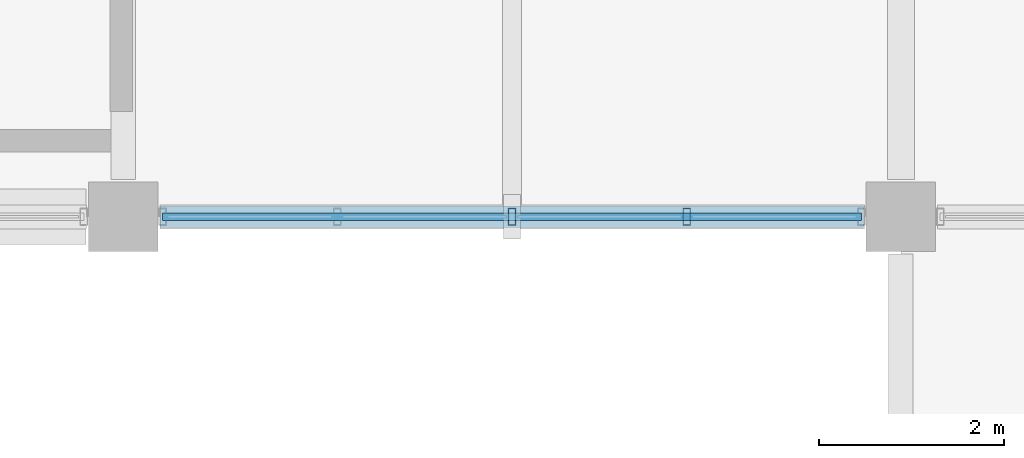
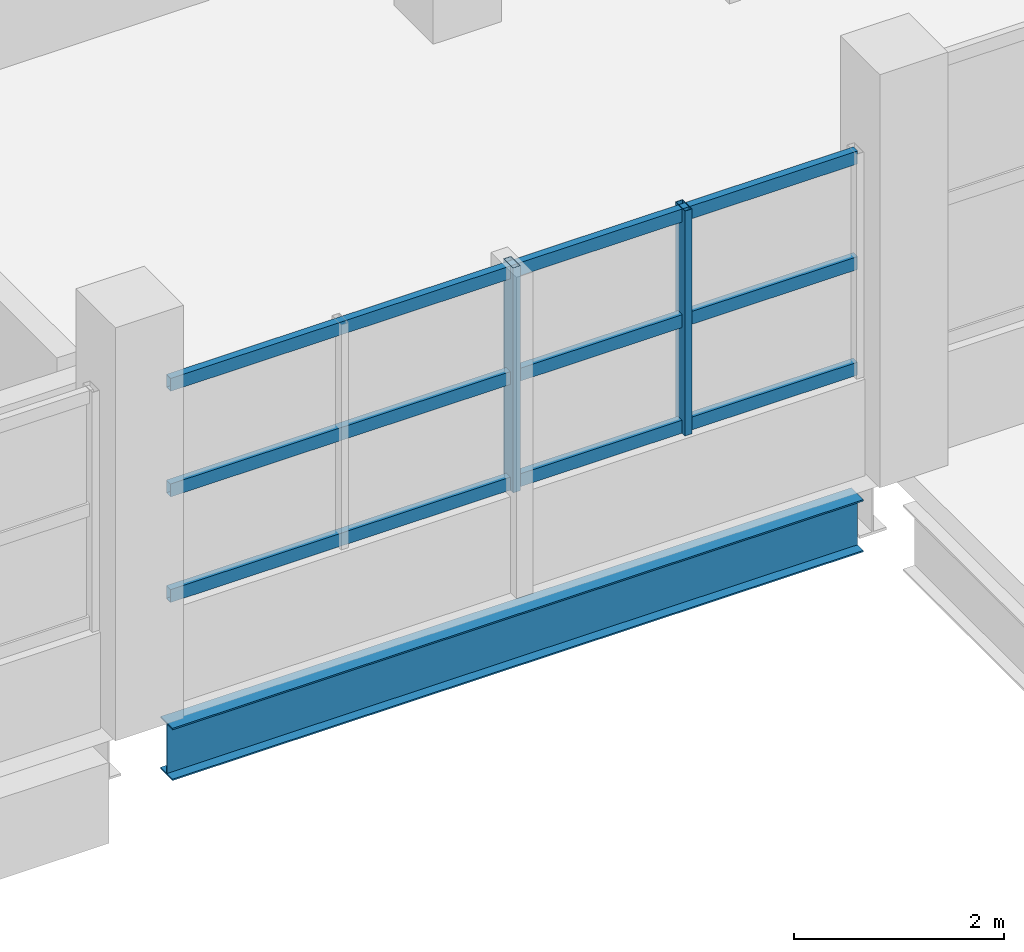
# One storey, part 44 of 117: 5 members, 1 beam, 1 element without a shape of its own.
"""IFC4 building model written with IfcOpenShell, lengths in metres."""

from ifc_helpers import new_model, si_unit, direction, frame, origin, origin_2d, place, context, subcontext, project, spatial, hollow_rectangle, i_section, extrude, material, material_profile, profile_set, type_object, element, aggregate, save


model = new_model("IFC4")

# Units and contexts
model_context = context("Model", 3, precision=1e-05, world=origin(), true_north=direction((0.0, 1.0)))
body_context = subcontext(model_context, "Body", "Model", "MODEL_VIEW")
ifc_project = project(units=[si_unit("LENGTHUNIT", "METRE"), si_unit("AREAUNIT", "SQUARE_METRE"), si_unit("VOLUMEUNIT", "CUBIC_METRE"), si_unit("PLANEANGLEUNIT", "RADIAN"), si_unit("MASSUNIT", "GRAM", prefix="KILO")], contexts=[model_context])

# Site, building, storey
site_placement = place(None, origin())
site = spatial("IfcSite", under=ifc_project, at=site_placement, CompositionType="ELEMENT")
building_placement = place(site_placement, origin())
building = spatial("IfcBuilding", under=site, at=building_placement, Name="Solvento Point Concert Hall", CompositionType="ELEMENT")
storey_placement = place(building_placement, frame((0.0, 0.0, 5.39990234375)))
storey = spatial("IfcBuildingStorey", under=building, at=storey_placement, Name="L01", CompositionType="ELEMENT", Elevation=5.39990234375)

# Beam
ifc_material_1 = material(Name="Structural Steel ASTM A992 Grade 50", Category="steel")
ifc_material_profile_1 = material_profile(ifc_material_1, i_section(OverallWidth=0.228515625, OverallDepth=0.60791015625, WebThickness=0.01123046875, FlangeThickness=0.017333984375, at=origin_2d()), Name="W24X76")
ifc_profile_set_1 = profile_set([ifc_material_profile_1], Name="Structural Steel ASTM A992 Grade 50")
beam_type = type_object("IfcBeamType", Name="Beam_W24X76", PredefinedType="BEAM", material=ifc_profile_set_1)
beam_placement = place(storey_placement, frame((58.00390625, 119.0, -0.587890625), z_axis=(1.0, 0.0, 0.0), x_axis=(0.0, 1.0, 0.0)))
element("IfcBeam", 1, at=beam_placement, inside=storey, type_object=beam_type, Name="Primary girder B-42 L01", PredefinedType="BEAM", context=body_context, shape_type="SweptSolid", body=[
    extrude(i_section(OverallWidth=0.228515625, OverallDepth=0.60791015625, WebThickness=0.01123046875, FlangeThickness=0.017333984375, at=origin_2d()), origin(), (0.0, 0.0, 1.0), 7.592041015625),
])

# Curtain wall, members
ifc_material_2 = material(Name="Anodized Bronze Aluminium", Category="aluminium")
curtain_wall_type = type_object("IfcCurtainWallType", Name="CurtainWall_CourtPilotis", PredefinedType="USERDEFINED", material=ifc_material_2)
curtain_wall_placement = place(storey_placement, origin())
curtain_wall = element("IfcCurtainWall", 2, at=curtain_wall_placement, inside=storey, type_object=curtain_wall_type, Name="Unitised curtain wall CW-96 UCW-L01-138", ObjectType="UNITISED CURTAIN WALL", PredefinedType="USERDEFINED")
ifc_material_3 = material(Name="Anodized Bronze Aluminium", Category="aluminium")
ifc_material_profile_2 = material_profile(ifc_material_3, hollow_rectangle(XDim=0.080078125, YDim=0.179931640625, WallThickness=0.00390625, at=origin_2d()), Name="CW-MUL-80X180")
ifc_profile_set_2 = profile_set([ifc_material_profile_2], Name="Anodized Bronze Aluminium")
member_type_1 = type_object("IfcMemberType", Name="Mullion_80x180", PredefinedType="MULLION", material=ifc_profile_set_2)
member_1_placement = place(storey_placement, frame((61.800048828125, 119.0, 1.1201171875), z_axis=(0.0, 0.0, 1.0), x_axis=(1.0, 0.0, 0.0)))
member_1 = element("IfcMember", 3, at=member_1_placement, type_object=member_type_1, Name="Curtain wall mullion ML-01", PredefinedType="MULLION", context=body_context, shape_type="SweptSolid", body=[
    extrude(hollow_rectangle(XDim=0.080078125, YDim=0.179931640625, WallThickness=0.00390625, at=origin_2d()), origin(), (0.0, 0.0, 1.0), 2.614013671875),
])
member_2_placement = place(storey_placement, frame((63.6875, 119.0, 1.1201171875), z_axis=(0.0, 0.0, 1.0), x_axis=(1.0, 0.0, 0.0)))
member_2 = element("IfcMember", 4, at=member_2_placement, type_object=member_type_1, Name="Curtain wall mullion ML-01", PredefinedType="MULLION", context=body_context, shape_type="SweptSolid", body=[
    extrude(hollow_rectangle(XDim=0.080078125, YDim=0.179931640625, WallThickness=0.00390625, at=origin_2d()), origin(), (0.0, 0.0, 1.0), 2.614013671875),
])
ifc_material_4 = material(Name="Anodized Bronze Aluminium", Category="aluminium")
ifc_material_profile_3 = material_profile(ifc_material_4, hollow_rectangle(XDim=0.080078125, YDim=0.14990234375, WallThickness=0.00390625, at=origin_2d()), Name="CW-TRN-80X150")
ifc_profile_set_3 = profile_set([ifc_material_profile_3], Name="Anodized Bronze Aluminium")
member_type_2 = type_object("IfcMemberType", Name="Transom_80x150", PredefinedType="USERDEFINED", material=ifc_profile_set_3)
member_3_placement = place(storey_placement, frame((58.02490234375, 119.0, 1.2001953125), z_axis=(1.0, 0.0, 0.0), x_axis=(0.0, 1.0, 0.0)))
member_3 = element("IfcMember", 5, at=member_3_placement, type_object=member_type_2, Name="Curtain wall transom TR-01", ObjectType="TRANSOM", PredefinedType="USERDEFINED", context=body_context, shape_type="SweptSolid", body=[
    extrude(hollow_rectangle(XDim=0.080078125, YDim=0.14990234375, WallThickness=0.00390625, at=origin_2d()), origin(), (0.0, 0.0, 1.0), 7.550048828125),
])
member_4_placement = place(storey_placement, frame((58.02490234375, 119.0, 2.427001953125), z_axis=(1.0, 0.0, 0.0), x_axis=(0.0, 1.0, 0.0)))
member_4 = element("IfcMember", 6, at=member_4_placement, type_object=member_type_2, Name="Curtain wall transom TR-01", ObjectType="TRANSOM", PredefinedType="USERDEFINED", context=body_context, shape_type="SweptSolid", body=[
    extrude(hollow_rectangle(XDim=0.080078125, YDim=0.14990234375, WallThickness=0.00390625, at=origin_2d()), origin(), (0.0, 0.0, 1.0), 7.550048828125),
])
member_5_placement = place(storey_placement, frame((58.02490234375, 119.0, 3.654052734375), z_axis=(1.0, 0.0, 0.0), x_axis=(0.0, 1.0, 0.0)))
member_5 = element("IfcMember", 7, at=member_5_placement, type_object=member_type_2, Name="Curtain wall transom TR-01", ObjectType="TRANSOM", PredefinedType="USERDEFINED", context=body_context, shape_type="SweptSolid", body=[
    extrude(hollow_rectangle(XDim=0.080078125, YDim=0.14990234375, WallThickness=0.00390625, at=origin_2d()), origin(), (0.0, 0.0, 1.0), 7.550048828125),
])
aggregate(curtain_wall, [member_1, member_2, member_3, member_4, member_5])

save(model, "model.ifc")
